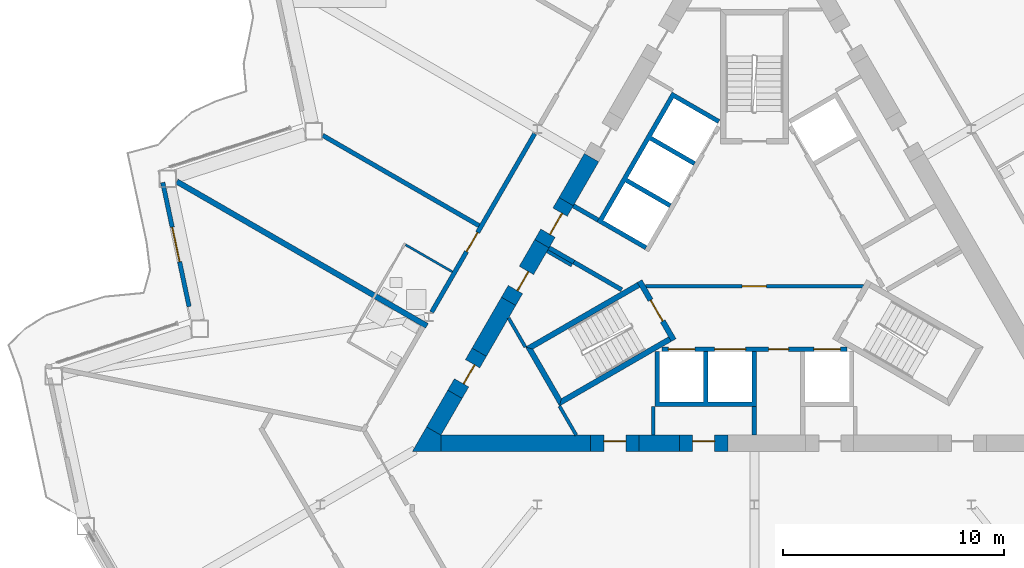
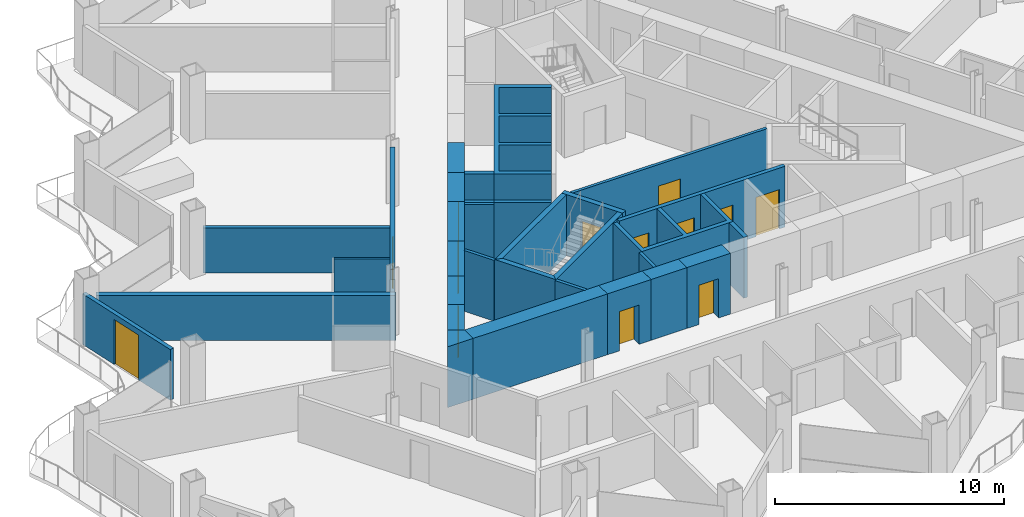
# One storey, part 11 of 23: 32 walls, 13 doors, 13 openings.
"""IFC4 building model written with IfcOpenShell, lengths in metres."""

from ifc_helpers import new_model, si_unit, direction, frame, frame_2d, origin, place, context, subcontext, project, spatial, polyline, rectangle, outline, extrude, material, layer, layer_set, type_object, element, fill, save


model = new_model("IFC4")

# Units and contexts
model_context = context("Model", 3, precision=1e-05, world=origin(), true_north=direction((0.0, 1.0)))
body_context = subcontext(model_context, "Body", "Model", "MODEL_VIEW")
ifc_project = project(units=[si_unit("LENGTHUNIT", "METRE"), si_unit("AREAUNIT", "SQUARE_METRE"), si_unit("VOLUMEUNIT", "CUBIC_METRE"), si_unit("PLANEANGLEUNIT", "RADIAN"), si_unit("MASSUNIT", "GRAM", prefix="KILO")], contexts=[model_context])

# Site, building, storey
site_placement = place(None, origin())
site = spatial("IfcSite", under=ifc_project, at=site_placement, CompositionType="ELEMENT")
building_placement = place(site_placement, origin())
building = spatial("IfcBuilding", under=site, at=building_placement, Name="Cormorant Prow Tower", CompositionType="ELEMENT")
storey_placement = place(building_placement, frame((0.0, 0.0, 169.199951171875)))
storey = spatial("IfcBuildingStorey", under=building, at=storey_placement, Name="L35", CompositionType="ELEMENT", Elevation=169.199951171875)

# Wall, opening, door
ifc_material_1 = material(Name="Gypsum board partition")
ifc_layer_1 = layer(ifc_material_1, 0.14990234375)
ifc_layer_set_1 = layer_set([ifc_layer_1], Name="Gypsum board partition")
wall_type_1 = type_object("IfcWallType", Name="Core partition 150", PredefinedType="PARTITIONING", material=ifc_layer_set_1)
wall_1_placement = place(storey_placement, frame((-4.941162109375, -1.449951171875, 0.0), z_axis=(0.0, 0.0, 1.0), x_axis=(1.0, 0.0, 0.0)))
wall_1 = element("IfcWall", 1, at=wall_1_placement, inside=storey, type_object=wall_type_1, Name="Firefighting lobby partition", PredefinedType="PARTITIONING", context=body_context, shape_type="SweptSolid", body=[
    extrude(rectangle(XDim=9.88232421875, YDim=0.14990234375, at=frame_2d((4.941162109375, 0.0))), origin(), (0.0, 0.0, 1.0), 3.25),
])
opening_1_placement = place(wall_1_placement, frame((4.39111328125, 0.0, 0.0)))
opening_1 = element("IfcOpeningElement", 2, at=opening_1_placement, cuts=wall_1, Name="Opening L35-C10", PredefinedType="OPENING", context=body_context, shape_type="SweptSolid", body=[
    extrude(rectangle(XDim=1.10009765625, YDim=2.10009765625, at=frame_2d((0.550048828125, 1.050048828125))), frame((0.0, 0.0849609375, 0.0), z_axis=(0.0, -1.0, 0.0), x_axis=(1.0, 0.0, 0.0)), (0.0, 0.0, 1.0), 0.169921875),
])
ifc_material_2 = material(Name="Painted steel", Category="steel")
door_type_1 = type_object("IfcDoorType", Name="Firefighting lobby door 1100x2100", OperationType="NOTDEFINED", PredefinedType="DOOR", material=ifc_material_2)
door_1_placement = place(opening_1_placement, origin())
door_1 = element("IfcDoor", 3, at=door_1_placement, inside=storey, type_object=door_type_1, Name="Firefighting lobby door", OperationType="SINGLE_SWING_LEFT", OverallHeight=2.10009765625, OverallWidth=1.10009765625, PredefinedType="DOOR", context=body_context, shape_type="SweptSolid", body=[
    extrude(rectangle(XDim=1.10009765625, YDim=2.10009765625, at=frame_2d((0.550048828125, 1.050048828125))), frame((0.0, 0.02490234375, 0.0), z_axis=(0.0, -1.0, 0.0), x_axis=(1.0, 0.0, 0.0)), (0.0, 0.0, 1.0), 0.050048828125),
])
fill(opening_1, door_1)

# Walls
for number, where, z_axis, x_axis, name in (
    (4, (-4.574951171875, -6.906005859375, 0.0), (0.0, 0.0, 1.0), (0.0, -1.0, 0.0), "Service room partition"),
    (5, (-8.268310546875, -0.509033203125, 0.0), (0.0, 0.0, 1.0), (-0.866003189247, 0.500038474733, 0.0), "Service room partition"),
):
    element("IfcWall", number, at=place(storey_placement, frame(where, z_axis=z_axis, x_axis=x_axis)), inside=storey, type_object=wall_type_1, Name=name, PredefinedType="PARTITIONING", context=body_context, shape_type="SweptSolid", body=[
        extrude(rectangle(XDim=1.29296875, YDim=0.14990234375, at=frame_2d((0.646484375, 0.0))), origin(), (0.0, 0.0, 1.0), 3.25),
    ])
for number, where, z_axis, x_axis, name in (
    (6, (-8.82958984375, -6.880615234375, 0.0), (0.0, 0.0, 1.0), (0.500037110984, -0.866003976688, 0.0), "Service room partition"),
    (7, (-10.37353515625, -4.206298828125, 0.0), (0.0, 0.0, 1.0), (-0.500037110984, 0.866003976688, 0.0), "Service room partition"),
):
    element("IfcWall", number, at=place(storey_placement, frame(where, z_axis=z_axis, x_axis=x_axis)), inside=storey, type_object=wall_type_1, Name=name, PredefinedType="PARTITIONING", context=body_context, shape_type="SweptSolid", body=[
        extrude(rectangle(XDim=1.5224609375, YDim=0.14990234375, at=frame_2d((0.76123046875, 0.0))), origin(), (0.0, 0.0, 1.0), 3.25),
    ])
ifc_material_3 = material(Name="Concrete 8000 psi", Category="concrete")
ifc_layer_2 = layer(ifc_material_3, 0.75)
ifc_layer_set_2 = layer_set([ifc_layer_2], Name="Concrete 8000 psi")
wall_type_2 = type_object("IfcWallType", Name="Core shear wall 750", PredefinedType="SHEAR", material=ifc_layer_set_2)
wall_2_placement = place(storey_placement, frame((-14.200927734375, -8.573974609375, 0.0), z_axis=(0.0, 0.0, 1.0), x_axis=(1.0, 0.0, 0.0)))
element("IfcWall", 8, at=wall_2_placement, inside=storey, type_object=wall_type_2, Name="Core wall", PredefinedType="SHEAR", context=body_context, shape_type="SweptSolid", body=[
    extrude(rectangle(XDim=6.784912109375, YDim=0.75, at=frame_2d((3.392578125, 0.0))), origin(), (0.0, 0.0, 1.0), 3.25),
])
wall_3_placement = place(storey_placement, frame((-5.2158203125, -8.573974609375, 0.0), z_axis=(0.0, 0.0, 1.0), x_axis=(1.0, 0.0, 0.0)))
element("IfcWall", 9, at=wall_3_placement, inside=storey, type_object=wall_type_2, Name="Core wall", PredefinedType="SHEAR", context=body_context, shape_type="SweptSolid", body=[
    extrude(rectangle(XDim=1.81591796875, YDim=0.75, at=frame_2d((0.907958984375, 0.0))), origin(), (0.0, 0.0, 1.0), 3.25),
])
wall_4_placement = place(storey_placement, frame((-11.13330078125, -2.135498046875, 0.0), z_axis=(0.0, 0.0, 1.0), x_axis=(-0.499936812382, -0.866061882099, 0.0)))
element("IfcWall", 10, at=wall_4_placement, inside=storey, type_object=wall_type_2, Name="Core wall", PredefinedType="SHEAR", context=body_context, shape_type="SweptSolid", body=[
    extrude(rectangle(XDim=2.661865234375, YDim=0.75, at=frame_2d((1.3310546875, 0.0))), origin(), (0.0, 0.0, 1.0), 3.25),
])
wall_5_placement = place(storey_placement, frame((-7.375244140625, 4.37353515625, 0.0), z_axis=(0.0, 0.0, 1.0), x_axis=(-0.499952165731, -0.866053019151, 0.0)))
element("IfcWall", 11, at=wall_5_placement, inside=storey, type_object=wall_type_2, Name="Core wall", PredefinedType="SHEAR", context=body_context, shape_type="SweptSolid", body=[
    extrude(rectangle(XDim=2.300048828125, YDim=0.75, at=frame_2d((1.14990234375, 0.0))), origin(), (0.0, 0.0, 1.0), 3.25),
])
wall_6_placement = place(storey_placement, frame((-13.564208984375, -6.34619140625, 0.0), z_axis=(0.0, 0.0, 1.0), x_axis=(-0.499989888488, -0.86603124159, 0.0)))
element("IfcWall", 12, at=wall_6_placement, inside=storey, type_object=wall_type_2, Name="Core wall", PredefinedType="SHEAR", context=body_context, shape_type="SweptSolid", body=[
    extrude(rectangle(XDim=1.9228515625, YDim=0.75, at=frame_2d((0.96142578125, 0.0))), origin(), (0.0, 0.0, 1.0), 3.25),
])
wall_7_placement = place(storey_placement, origin())
element("IfcWall", 13, at=wall_7_placement, inside=storey, type_object=wall_type_2, Name="Core wall corner", PredefinedType="SHEAR", context=body_context, shape_type="SweptSolid", body=[
    extrude(outline(polyline([(-14.8505859375, -7.823974609375), (-14.200927734375, -8.198974609375), (-14.200927734375, -8.948974609375), (-15.5, -8.948974609375), (-14.8505859375, -7.823974609375)])), origin(), (0.0, 0.0, 1.0), 3.25),
])

# Wall, opening, door
wall_8_placement = place(storey_placement, frame((-3.39990234375, -8.573974609375, 0.0), z_axis=(0.0, 0.0, 1.0), x_axis=(1.0, 0.0, 0.0)))
wall_8 = element("IfcWall", 14, at=wall_8_placement, inside=storey, type_object=wall_type_2, Name="Core wall door panel", PredefinedType="SHEAR", context=body_context, shape_type="SweptSolid", body=[
    extrude(rectangle(XDim=2.199951171875, YDim=0.75, at=frame_2d((1.10009765625, 0.0))), origin(), (0.0, 0.0, 1.0), 3.25),
])
opening_2_placement = place(wall_8_placement, frame((0.60009765625, 0.0, 0.0)))
opening_2 = element("IfcOpeningElement", 15, at=opening_2_placement, cuts=wall_8, Name="Opening L35-C14", PredefinedType="OPENING", context=body_context, shape_type="SweptSolid", body=[
    extrude(rectangle(XDim=1.0, YDim=2.10009765625, at=frame_2d((0.5, 1.050048828125))), frame((0.0, 0.385009765625, 0.0), z_axis=(0.0, -1.0, 0.0), x_axis=(1.0, 0.0, 0.0)), (0.0, 0.0, 1.0), 0.77001953125),
])
ifc_material_4 = material(Name="Painted steel", Category="steel")
door_type_2 = type_object("IfcDoorType", Name="Service door 1000x2100", OperationType="NOTDEFINED", PredefinedType="DOOR", material=ifc_material_4)
door_2_placement = place(opening_2_placement, origin())
door_2 = element("IfcDoor", 16, at=door_2_placement, inside=storey, type_object=door_type_2, Name="Core door, Electrical room", OperationType="SINGLE_SWING_RIGHT", OverallHeight=2.10009765625, OverallWidth=1.0, PredefinedType="DOOR", context=body_context, shape_type="SweptSolid", body=[
    extrude(rectangle(XDim=1.0, YDim=2.10009765625, at=frame_2d((0.5, 1.050048828125))), frame((0.0, 0.1298828125, 0.0), z_axis=(0.0, -1.0, 0.0), x_axis=(1.0, 0.0, 0.0)), (0.0, 0.0, 1.0), 0.050048828125),
])
fill(opening_2, door_2)

wall_9_placement = place(storey_placement, frame((-12.46435546875, -4.44091796875, 0.0), z_axis=(0.0, 0.0, 1.0), x_axis=(-0.499994660107, -0.866028486751, 0.0)))
wall_9 = element("IfcWall", 17, at=wall_9_placement, inside=storey, type_object=wall_type_2, Name="Core wall door panel", PredefinedType="SHEAR", context=body_context, shape_type="SweptSolid", body=[
    extrude(rectangle(XDim=2.19970703125, YDim=0.75, at=frame_2d((1.099853515625, 0.0))), origin(), (0.0, 0.0, 1.0), 3.25),
])
opening_3_placement = place(wall_9_placement, frame((0.60009765625, 0.0, 0.0)))
opening_3 = element("IfcOpeningElement", 18, at=opening_3_placement, cuts=wall_9, Name="Opening L35-C16", PredefinedType="OPENING", context=body_context, shape_type="SweptSolid", body=[
    extrude(rectangle(XDim=1.0, YDim=2.10009765625, at=frame_2d((0.5, 1.050048828125))), frame((0.0, 0.385009765625, 0.0), z_axis=(0.0, -1.0, 0.0), x_axis=(1.0, 0.0, 0.0)), (0.0, 0.0, 1.0), 0.77001953125),
])
door_3_placement = place(opening_3_placement, origin())
door_3 = element("IfcDoor", 19, at=door_3_placement, inside=storey, type_object=door_type_2, Name="Core door, Mechanical riser room", OperationType="SINGLE_SWING_RIGHT", OverallHeight=2.10009765625, OverallWidth=1.0, PredefinedType="DOOR", context=body_context, shape_type="SweptSolid", body=[
    extrude(rectangle(XDim=1.0, YDim=2.10009765625, at=frame_2d((0.5, 1.050048828125))), frame((0.0, 0.1298828125, 0.0), z_axis=(0.0, -1.0, 0.0), x_axis=(1.0, 0.0, 0.0)), (0.0, 0.0, 1.0), 0.050048828125),
])
fill(opening_3, door_3)

wall_10_placement = place(storey_placement, frame((-9.625244140625, 0.4765625, 0.0), z_axis=(0.0, 0.0, 1.0), x_axis=(-0.499995718215, -0.86602787586, 0.0)))
wall_10 = element("IfcWall", 20, at=wall_10_placement, inside=storey, type_object=wall_type_2, Name="Core wall door panel", PredefinedType="SHEAR", context=body_context, shape_type="SweptSolid", body=[
    extrude(rectangle(XDim=3.01611328125, YDim=0.75, at=frame_2d((1.508056640625, 0.0))), origin(), (0.0, 0.0, 1.0), 3.25),
])
opening_4_placement = place(wall_10_placement, frame((1.39990234375, 0.0, 0.0)))
opening_4 = element("IfcOpeningElement", 21, at=opening_4_placement, cuts=wall_10, Name="Opening L35-C21", PredefinedType="OPENING", context=body_context, shape_type="SweptSolid", body=[
    extrude(rectangle(XDim=1.0, YDim=2.10009765625, at=frame_2d((0.5, 1.050048828125))), frame((0.0, 0.385009765625, 0.0), z_axis=(0.0, -1.0, 0.0), x_axis=(1.0, 0.0, 0.0)), (0.0, 0.0, 1.0), 0.77001953125),
])
door_4_placement = place(opening_4_placement, origin())
door_4 = element("IfcDoor", 22, at=door_4_placement, inside=storey, type_object=door_type_2, Name="Core door, Mechanical riser room", OperationType="SINGLE_SWING_LEFT", OverallHeight=2.10009765625, OverallWidth=1.0, PredefinedType="DOOR", context=body_context, shape_type="SweptSolid", body=[
    extrude(rectangle(XDim=1.0, YDim=2.10009765625, at=frame_2d((0.5, 1.050048828125))), frame((0.0, 0.1298828125, 0.0), z_axis=(0.0, -1.0, 0.0), x_axis=(1.0, 0.0, 0.0)), (0.0, 0.0, 1.0), 0.050048828125),
])
fill(opening_4, door_4)

wall_11_placement = place(storey_placement, frame((-7.416015625, -8.573974609375, 0.0), z_axis=(0.0, 0.0, 1.0), x_axis=(1.0, 0.0, 0.0)))
wall_11 = element("IfcWall", 23, at=wall_11_placement, inside=storey, type_object=wall_type_2, Name="Core wall door panel", PredefinedType="SHEAR", context=body_context, shape_type="SweptSolid", body=[
    extrude(rectangle(XDim=2.2001953125, YDim=0.75, at=frame_2d((1.10009765625, 0.0))), origin(), (0.0, 0.0, 1.0), 3.25),
])
opening_5_placement = place(wall_11_placement, frame((0.60009765625, 0.0, 0.0)))
opening_5 = element("IfcOpeningElement", 24, at=opening_5_placement, cuts=wall_11, Name="Opening L35-C22", PredefinedType="OPENING", context=body_context, shape_type="SweptSolid", body=[
    extrude(rectangle(XDim=1.0, YDim=2.10009765625, at=frame_2d((0.5, 1.050048828125))), frame((0.0, 0.385009765625, 0.0), z_axis=(0.0, -1.0, 0.0), x_axis=(1.0, 0.0, 0.0)), (0.0, 0.0, 1.0), 0.77001953125),
])
door_5_placement = place(opening_5_placement, origin())
door_5 = element("IfcDoor", 25, at=door_5_placement, inside=storey, type_object=door_type_2, Name="Core door, Mechanical riser room", OperationType="SINGLE_SWING_RIGHT", OverallHeight=2.10009765625, OverallWidth=1.0, PredefinedType="DOOR", context=body_context, shape_type="SweptSolid", body=[
    extrude(rectangle(XDim=1.0, YDim=2.10009765625, at=frame_2d((0.5, 1.050048828125))), frame((0.0, 0.1298828125, 0.0), z_axis=(0.0, -1.0, 0.0), x_axis=(1.0, 0.0, 0.0)), (0.0, 0.0, 1.0), 0.050048828125),
])
fill(opening_5, door_5)

wall_12_placement = place(storey_placement, frame((-8.525146484375, 2.381591796875, 0.0), z_axis=(0.0, 0.0, 1.0), x_axis=(-0.500077893725, -0.86598042715, 0.0)))
wall_12 = element("IfcWall", 26, at=wall_12_placement, inside=storey, type_object=wall_type_2, Name="Core wall door panel", PredefinedType="SHEAR", context=body_context, shape_type="SweptSolid", body=[
    extrude(rectangle(XDim=2.199951171875, YDim=0.75, at=frame_2d((1.10009765625, 0.0))), origin(), (0.0, 0.0, 1.0), 3.25),
])
opening_6_placement = place(wall_12_placement, frame((0.550048828125, 0.0, 0.0)))
opening_6 = element("IfcOpeningElement", 27, at=opening_6_placement, cuts=wall_12, Name="Opening L35-C25", PredefinedType="OPENING", context=body_context, shape_type="SweptSolid", body=[
    extrude(rectangle(XDim=1.10009765625, YDim=2.10009765625, at=frame_2d((0.550048828125, 1.050048828125))), frame((0.0, 0.385009765625, 0.0), z_axis=(0.0, -1.0, 0.0), x_axis=(1.0, 0.0, 0.0)), (0.0, 0.0, 1.0), 0.77001953125),
])
ifc_material_5 = material(Name="Painted steel", Category="steel")
door_type_3 = type_object("IfcDoorType", Name="Core door 1100x2100", OperationType="NOTDEFINED", PredefinedType="DOOR", material=ifc_material_5)
door_6_placement = place(opening_6_placement, origin())
door_6 = element("IfcDoor", 28, at=door_6_placement, inside=storey, type_object=door_type_3, Name="Core door, lift lobby", OperationType="SINGLE_SWING_LEFT", OverallHeight=2.10009765625, OverallWidth=1.10009765625, PredefinedType="DOOR", context=body_context, shape_type="SweptSolid", body=[
    extrude(rectangle(XDim=1.10009765625, YDim=2.10009765625, at=frame_2d((0.550048828125, 1.050048828125))), frame((0.0, 0.1298828125, 0.0), z_axis=(0.0, -1.0, 0.0), x_axis=(1.0, 0.0, 0.0)), (0.0, 0.0, 1.0), 0.050048828125),
])
fill(opening_6, door_6)

ifc_material_6 = material(Name="Gypsum board corridor wall")
ifc_layer_3 = layer(ifc_material_6, 0.199951171875)
ifc_layer_set_3 = layer_set([ifc_layer_3], Name="Gypsum board corridor wall")
wall_type_3 = type_object("IfcWallType", Name="Corridor wall 200", PredefinedType="PARTITIONING", material=ifc_layer_set_3)
wall_13_placement = place(storey_placement, frame((-14.619384765625, -2.62353515625, 0.0), z_axis=(0.0, 0.0, 1.0), x_axis=(0.50000393355, 0.866023132736, 0.0)))
wall_13 = element("IfcWall", 29, at=wall_13_placement, inside=storey, type_object=wall_type_3, Name="Corridor wall", PredefinedType="PARTITIONING", context=body_context, shape_type="SweptSolid", body=[
    extrude(rectangle(XDim=9.3349609375, YDim=0.199951171875, at=frame_2d((4.66748046875, 0.0))), origin(), (0.0, 0.0, 1.0), 3.25),
])
opening_7_placement = place(wall_13_placement, frame((3.1630859375, 0.0, 0.0)))
opening_7 = element("IfcOpeningElement", 30, at=opening_7_placement, cuts=wall_13, Name="Opening L35-F29", PredefinedType="OPENING", context=body_context, shape_type="SweptSolid", body=[
    extrude(rectangle(XDim=1.0, YDim=2.10009765625, at=frame_2d((0.5, 1.050048828125))), frame((0.0, 0.10986328125, 0.0), z_axis=(0.0, -1.0, 0.0), x_axis=(1.0, 0.0, 0.0)), (0.0, 0.0, 1.0), 0.219970703125),
])
ifc_material_7 = material(Name="Timber door leaf", Category="wood")
door_type_4 = type_object("IfcDoorType", Name="Flat or room entrance door 1000x2100", OperationType="NOTDEFINED", PredefinedType="DOOR", material=ifc_material_7)
door_7_placement = place(opening_7_placement, origin())
door_7 = element("IfcDoor", 31, at=door_7_placement, inside=storey, type_object=door_type_4, Name="Guest room door", OperationType="SINGLE_SWING_RIGHT", OverallHeight=2.10009765625, OverallWidth=1.0, PredefinedType="DOOR", context=body_context, shape_type="SweptSolid", body=[
    extrude(rectangle(XDim=1.0, YDim=2.10009765625, at=frame_2d((0.5, 1.050048828125))), frame((0.0, 0.02490234375, 0.0), z_axis=(0.0, -1.0, 0.0), x_axis=(1.0, 0.0, 0.0)), (0.0, 0.0, 1.0), 0.050048828125),
])
fill(opening_7, door_7)

# Walls
ifc_material_8 = material(Name="Gypsum board demising wall")
ifc_layer_4 = layer(ifc_material_8, 0.199951171875)
ifc_layer_set_4 = layer_set([ifc_layer_4], Name="Gypsum board demising wall")
wall_type_4 = type_object("IfcWallType", Name="Demising wall 200", PredefinedType="PARTITIONING", material=ifc_layer_set_4)
wall_14_placement = place(storey_placement, frame((-19.5546875, 5.3828125, 0.0), z_axis=(0.0, 0.0, 1.0), x_axis=(0.866027979776, -0.499995538225, 0.0)))
element("IfcWall", 32, at=wall_14_placement, inside=storey, type_object=wall_type_4, Name="Demising wall", PredefinedType="PARTITIONING", context=body_context, shape_type="SweptSolid", body=[
    extrude(rectangle(XDim=8.17724609375, YDim=0.199951171875, at=frame_2d((4.088623046875, 0.0))), origin(), (0.0, 0.0, 1.0), 2.404296875),
])
ifc_material_9 = material(Name="Gypsum board partition")
ifc_layer_5 = layer(ifc_material_9, 0.10009765625)
ifc_layer_set_5 = layer_set([ifc_layer_5], Name="Gypsum board partition")
wall_type_5 = type_object("IfcWallType", Name="Internal partition 100", PredefinedType="PARTITIONING", material=ifc_layer_set_5)
wall_15_placement = place(storey_placement, frame((-15.802490234375, 0.427001953125, 0.0), z_axis=(0.0, 0.0, 1.0), x_axis=(0.866032905446, -0.499987006516, 0.0)))
element("IfcWall", 33, at=wall_15_placement, inside=storey, type_object=wall_type_5, Name="Internal partition", PredefinedType="PARTITIONING", context=body_context, shape_type="SweptSolid", body=[
    extrude(rectangle(XDim=2.44970703125, YDim=0.10009765625, at=frame_2d((1.224853515625, 0.0))), origin(), (0.0, 0.0, 1.0), 2.404296875),
])

# Wall, openings, doors
ifc_material_10 = material(Name="Concrete 5000 psi", Category="concrete")
ifc_layer_6 = layer(ifc_material_10, 0.199951171875)
ifc_layer_set_6 = layer_set([ifc_layer_6], Name="Concrete 5000 psi")
wall_type_6 = type_object("IfcWallType", Name="Lift lobby wall 200", PredefinedType="SOLIDWALL", material=ifc_layer_set_6)
wall_16_placement = place(storey_placement, frame((-4.1865234375, -4.300048828125, 0.0), z_axis=(0.0, 0.0, 1.0), x_axis=(1.0, 0.0, 0.0)))
wall_16 = element("IfcWall", 34, at=wall_16_placement, inside=storey, type_object=wall_type_6, Name="Lift lobby wall, S block", PredefinedType="SOLIDWALL", context=body_context, shape_type="SweptSolid", body=[
    extrude(rectangle(XDim=8.373046875, YDim=0.199951171875, at=frame_2d((4.1865234375, 0.0))), origin(), (0.0, 0.0, 1.0), 3.25),
])
opening_8_placement = place(wall_16_placement, frame((0.28662109375, 0.0, 0.0)))
opening_8 = element("IfcOpeningElement", 35, at=opening_8_placement, cuts=wall_16, Name="Opening L35-C01", PredefinedType="OPENING", context=body_context, shape_type="SweptSolid", body=[
    extrude(rectangle(XDim=1.199951171875, YDim=2.10009765625, at=frame_2d((0.60009765625, 1.050048828125))), frame((0.0, 0.10986328125, 0.0), z_axis=(0.0, -1.0, 0.0), x_axis=(1.0, 0.0, 0.0)), (0.0, 0.0, 1.0), 0.219970703125),
])
opening_9_placement = place(wall_16_placement, frame((2.38671875, 0.0, 0.0)))
opening_9 = element("IfcOpeningElement", 36, at=opening_9_placement, cuts=wall_16, Name="Opening L35-C02", PredefinedType="OPENING", context=body_context, shape_type="SweptSolid", body=[
    extrude(rectangle(XDim=1.39990234375, YDim=2.10009765625, at=frame_2d((0.699951171875, 1.050048828125))), frame((0.0, 0.10986328125, 0.0), z_axis=(0.0, -1.0, 0.0), x_axis=(1.0, 0.0, 0.0)), (0.0, 0.0, 1.0), 0.219970703125),
])
opening_10_placement = place(wall_16_placement, frame((4.836669921875, 0.0, 0.0)))
opening_10 = element("IfcOpeningElement", 37, at=opening_10_placement, cuts=wall_16, Name="Opening L35-C03", PredefinedType="OPENING", context=body_context, shape_type="SweptSolid", body=[
    extrude(rectangle(XDim=0.89990234375, YDim=2.10009765625, at=frame_2d((0.449951171875, 1.050048828125))), frame((0.0, 0.10986328125, 0.0), z_axis=(0.0, -1.0, 0.0), x_axis=(1.0, 0.0, 0.0)), (0.0, 0.0, 1.0), 0.219970703125),
])
opening_11_placement = place(wall_16_placement, frame((6.88671875, 0.0, 0.0)))
opening_11 = element("IfcOpeningElement", 38, at=opening_11_placement, cuts=wall_16, Name="Opening L35-C04", PredefinedType="OPENING", context=body_context, shape_type="SweptSolid", body=[
    extrude(rectangle(XDim=1.199951171875, YDim=2.10009765625, at=frame_2d((0.60009765625, 1.050048828125))), frame((0.0, 0.10986328125, 0.0), z_axis=(0.0, -1.0, 0.0), x_axis=(1.0, 0.0, 0.0)), (0.0, 0.0, 1.0), 0.219970703125),
])
ifc_material_11 = material(Name="Painted steel", Category="steel")
door_type_5 = type_object("IfcDoorType", Name="Firefighting lift landing door 1200x2100", OperationType="SLIDING_TO_LEFT", PredefinedType="DOOR", material=ifc_material_11)
door_8_placement = place(opening_8_placement, origin())
door_8 = element("IfcDoor", 39, at=door_8_placement, inside=storey, type_object=door_type_5, Name="Landing door FL1", OperationType="SLIDING_TO_LEFT", OverallHeight=2.10009765625, OverallWidth=1.199951171875, PredefinedType="DOOR", context=body_context, shape_type="SweptSolid", body=[
    extrude(rectangle(XDim=1.199951171875, YDim=2.10009765625, at=frame_2d((0.60009765625, 1.050048828125))), frame((0.0, 0.02490234375, 0.0), z_axis=(0.0, -1.0, 0.0), x_axis=(1.0, 0.0, 0.0)), (0.0, 0.0, 1.0), 0.050048828125),
])
fill(opening_8, door_8)
door_9_placement = place(opening_11_placement, origin())
door_9 = element("IfcDoor", 40, at=door_9_placement, inside=storey, type_object=door_type_5, Name="Landing door FL2", OperationType="SLIDING_TO_LEFT", OverallHeight=2.10009765625, OverallWidth=1.199951171875, PredefinedType="DOOR", context=body_context, shape_type="SweptSolid", body=[
    extrude(rectangle(XDim=1.199951171875, YDim=2.10009765625, at=frame_2d((0.60009765625, 1.050048828125))), frame((0.0, 0.02490234375, 0.0), z_axis=(0.0, -1.0, 0.0), x_axis=(1.0, 0.0, 0.0)), (0.0, 0.0, 1.0), 0.050048828125),
])
fill(opening_11, door_9)
ifc_material_12 = material(Name="Painted steel", Category="steel")
door_type_6 = type_object("IfcDoorType", Name="Service door 900x2100", OperationType="NOTDEFINED", PredefinedType="DOOR", material=ifc_material_12)
door_10_placement = place(opening_10_placement, origin())
door_10 = element("IfcDoor", 41, at=door_10_placement, inside=storey, type_object=door_type_6, Name="Service door, Electrical room", OperationType="SINGLE_SWING_RIGHT", OverallHeight=2.10009765625, OverallWidth=0.89990234375, PredefinedType="DOOR", context=body_context, shape_type="SweptSolid", body=[
    extrude(rectangle(XDim=0.89990234375, YDim=2.10009765625, at=frame_2d((0.449951171875, 1.050048828125))), frame((0.0, 0.02490234375, 0.0), z_axis=(0.0, -1.0, 0.0), x_axis=(1.0, 0.0, 0.0)), (0.0, 0.0, 1.0), 0.050048828125),
])
fill(opening_10, door_10)
ifc_material_13 = material(Name="Painted steel", Category="steel")
door_type_7 = type_object("IfcDoorType", Name="Service lift landing door 1400x2100", OperationType="SLIDING_TO_LEFT", PredefinedType="DOOR", material=ifc_material_13)
door_11_placement = place(opening_9_placement, origin())
door_11 = element("IfcDoor", 42, at=door_11_placement, inside=storey, type_object=door_type_7, Name="Landing door SL1", OperationType="SLIDING_TO_LEFT", OverallHeight=2.10009765625, OverallWidth=1.39990234375, PredefinedType="DOOR", context=body_context, shape_type="SweptSolid", body=[
    extrude(rectangle(XDim=1.39990234375, YDim=2.10009765625, at=frame_2d((0.699951171875, 1.050048828125))), frame((0.0, 0.02490234375, 0.0), z_axis=(0.0, -1.0, 0.0), x_axis=(1.0, 0.0, 0.0)), (0.0, 0.0, 1.0), 0.050048828125),
])
fill(opening_9, door_11)

# Walls
ifc_material_14 = material(Name="Concrete 8000 psi", Category="concrete")
ifc_layer_7 = layer(ifc_material_14, 0.199951171875)
ifc_layer_set_7 = layer_set([ifc_layer_7], Name="Concrete 8000 psi")
wall_type_7 = type_object("IfcWallType", Name="Lift shaft wall 200", PredefinedType="SHEAR", material=ifc_layer_set_7)
wall_17_placement = place(storey_placement, origin())
element("IfcWall", 43, at=wall_17_placement, inside=storey, type_object=wall_type_7, Name="Lift shaft walls, S block", PredefinedType="SHEAR", context=body_context, shape_type="SweptSolid", body=[
    extrude(outline(polyline([(0.10009765625, -4.39990234375), (0.10009765625, -6.906005859375), (-4.5, -6.906005859375), (-4.5, -4.39990234375), (-4.300048828125, -4.39990234375), (-4.300048828125, -6.699951171875), (-2.300048828125, -6.699951171875), (-2.300048828125, -4.39990234375), (-2.10009765625, -4.39990234375), (-2.10009765625, -6.699951171875), (-0.10009765625, -6.699951171875), (-0.10009765625, -4.39990234375), (0.10009765625, -4.39990234375)])), origin(), (0.0, 0.0, 1.0), 3.25),
])
wall_18_placement = place(storey_placement, frame((0.0, -6.906005859375, 0.0), z_axis=(0.0, 0.0, 1.0), x_axis=(0.0, -1.0, 0.0)))
element("IfcWall", 44, at=wall_18_placement, inside=storey, type_object=wall_type_7, Name="Store side wall", PredefinedType="SHEAR", context=body_context, shape_type="SweptSolid", body=[
    extrude(rectangle(XDim=1.29296875, YDim=0.199951171875, at=frame_2d((0.646484375, 0.0))), origin(), (0.0, 0.0, 1.0), 3.25),
])
wall_19_placement = place(storey_placement, origin())
element("IfcWall", 45, at=wall_19_placement, inside=storey, type_object=wall_type_7, Name="Lift shaft walls, WNW block", PredefinedType="SHEAR", context=body_context, shape_type="SweptSolid", body=[
    extrude(outline(polyline([(-6.060546875, -1.697021484375), (-8.230712890625, -0.444091796875), (-8.130859375, -0.27099609375), (-5.96044921875, -1.52392578125), (-6.060546875, -1.697021484375)])), origin(), (0.0, 0.0, 1.0), 3.25),
])
wall_20_placement = place(storey_placement, origin())
element("IfcWall", 46, at=wall_20_placement, inside=storey, type_object=wall_type_7, Name="Lift shaft walls, WNW block", PredefinedType="SHEAR", context=body_context, shape_type="SweptSolid", body=[
    extrude(outline(polyline([(-4.96044921875, 0.2080078125), (-7.130859375, 1.461181640625), (-3.730712890625, 7.35009765625), (-1.560546875, 6.09716796875), (-1.660400390625, 5.923828125), (-3.65234375, 7.073974609375), (-4.65234375, 5.341796875), (-2.660400390625, 4.19189453125), (-2.760498046875, 4.018798828125), (-4.75244140625, 5.168701171875), (-5.75244140625, 3.4365234375), (-3.760498046875, 2.28662109375), (-3.860595703125, 2.11328125), (-5.852294921875, 3.263427734375), (-6.852294921875, 1.53125), (-4.860595703125, 0.38134765625), (-4.96044921875, 0.2080078125)])), origin(), (0.0, 0.0, 1.0), 3.25),
])
for number, where, z_axis, x_axis, name in (
    (47, (-7.080810546875, 1.547607421875, 0.0), (0.0, 0.0, 1.0), (-0.866003189247, 0.500038474733, 0.0), "Lobby passage wall"),
    (48, (-8.180908203125, -0.357421875, 0.0), (0.0, 0.0, 1.0), (-0.866003189247, 0.500038474733, 0.0), "Lobby passage wall"),
):
    element("IfcWall", number, at=place(storey_placement, frame(where, z_axis=z_axis, x_axis=x_axis)), inside=storey, type_object=wall_type_7, Name=name, PredefinedType="SHEAR", context=body_context, shape_type="SweptSolid", body=[
        extrude(rectangle(XDim=1.29296875, YDim=0.199951171875, at=frame_2d((0.646484375, 0.0))), origin(), (0.0, 0.0, 1.0), 3.25),
    ])
ifc_material_15 = material(Name="Concrete 8000 psi", Category="concrete")
ifc_layer_8 = layer(ifc_material_15, 0.25)
ifc_layer_set_8 = layer_set([ifc_layer_8], Name="Concrete 8000 psi")
wall_type_8 = type_object("IfcWallType", Name="Stair wall 250", PredefinedType="SHEAR", material=ifc_layer_set_8)
wall_21_placement = place(storey_placement, origin())
element("IfcWall", 49, at=wall_21_placement, inside=storey, type_object=wall_type_8, Name="Stair ST1 enclosure wall (flank)", PredefinedType="SHEAR", context=body_context, shape_type="SweptSolid", body=[
    extrude(outline(polyline([(-5.30712890625, -1.28125), (-10.37353515625, -4.206298828125), (-10.031982421875, -4.2978515625), (-5.18212890625, -1.497802734375), (-5.30712890625, -1.28125)])), origin(), (0.0, 0.0, 1.0), 3.25),
])
wall_22_placement = place(storey_placement, origin())
element("IfcWall", 50, at=wall_22_placement, inside=storey, type_object=wall_type_8, Name="Stair ST1 enclosure wall (end)", PredefinedType="SHEAR", context=body_context, shape_type="SweptSolid", body=[
    extrude(outline(polyline([(-10.37353515625, -4.206298828125), (-8.82958984375, -6.880615234375), (-8.738037109375, -6.5390625), (-10.031982421875, -4.2978515625), (-10.37353515625, -4.206298828125)])), origin(), (0.0, 0.0, 1.0), 3.25),
])
wall_23_placement = place(storey_placement, origin())
element("IfcWall", 51, at=wall_23_placement, inside=storey, type_object=wall_type_8, Name="Stair ST1 enclosure wall (flank)", PredefinedType="SHEAR", context=body_context, shape_type="SweptSolid", body=[
    extrude(outline(polyline([(-8.738037109375, -6.5390625), (-8.82958984375, -6.880615234375), (-3.76318359375, -3.95556640625), (-3.88818359375, -3.739013671875), (-8.738037109375, -6.5390625)])), origin(), (0.0, 0.0, 1.0), 3.25),
])

# Wall, opening, door
wall_24_placement = place(storey_placement, frame((-5.198974609375, -1.21875, 0.0), z_axis=(0.0, 0.0, 1.0), x_axis=(0.499982516597, -0.866035497597, 0.0)))
wall_24 = element("IfcWall", 52, at=wall_24_placement, inside=storey, type_object=wall_type_8, Name="Stair ST1 door wall", PredefinedType="SHEAR", context=body_context, shape_type="SweptSolid", body=[
    extrude(rectangle(XDim=3.087890625, YDim=0.25, at=frame_2d((1.5439453125, 0.0))), origin(), (0.0, 0.0, 1.0), 3.25),
])
opening_12_placement = place(wall_24_placement, frame((0.993896484375, 0.0, 0.0)))
opening_12 = element("IfcOpeningElement", 53, at=opening_12_placement, cuts=wall_24, Name="Opening L35-C11", PredefinedType="OPENING", context=body_context, shape_type="SweptSolid", body=[
    extrude(rectangle(XDim=1.10009765625, YDim=2.10009765625, at=frame_2d((0.550048828125, 1.050048828125))), frame((0.0, 0.135009765625, 0.0), z_axis=(0.0, -1.0, 0.0), x_axis=(1.0, 0.0, 0.0)), (0.0, 0.0, 1.0), 0.27001953125),
])
ifc_material_16 = material(Name="Painted steel", Category="steel")
door_type_8 = type_object("IfcDoorType", Name="Stair door 1100x2100", OperationType="NOTDEFINED", PredefinedType="DOOR", material=ifc_material_16)
door_12_placement = place(opening_12_placement, origin())
door_12 = element("IfcDoor", 54, at=door_12_placement, inside=storey, type_object=door_type_8, Name="Stair ST1 door", OperationType="SINGLE_SWING_LEFT", OverallHeight=2.10009765625, OverallWidth=1.10009765625, PredefinedType="DOOR", context=body_context, shape_type="SweptSolid", body=[
    extrude(rectangle(XDim=1.10009765625, YDim=2.10009765625, at=frame_2d((0.550048828125, 1.050048828125))), frame((0.0, 0.02490234375, 0.0), z_axis=(0.0, -1.0, 0.0), x_axis=(1.0, 0.0, 0.0)), (0.0, 0.0, 1.0), 0.050048828125),
])
fill(opening_12, door_12)

# Wall
ifc_material_17 = material(Name="Acoustic gypsum party wall")
ifc_layer_9 = layer(ifc_material_17, 0.25)
ifc_layer_set_9 = layer_set([ifc_layer_9], Name="Acoustic gypsum party wall")
wall_type_9 = type_object("IfcWallType", Name="Suite party wall 250", PredefinedType="PARTITIONING", material=ifc_layer_set_9)
wall_25_placement = place(storey_placement, frame((-26.164306640625, 3.291748046875, 0.0), z_axis=(0.0, 0.0, 1.0), x_axis=(0.866022412254, -0.500005181446, 0.0)))
element("IfcWall", 55, at=wall_25_placement, inside=storey, type_object=wall_type_9, Name="Suite party wall", PredefinedType="PARTITIONING", context=body_context, shape_type="SweptSolid", body=[
    extrude(rectangle(XDim=13.080810546875, YDim=0.25, at=frame_2d((6.54052734375, 0.0))), origin(), (0.0, 0.0, 1.0), 2.404296875),
])

# Wall, opening, door
ifc_material_18 = material(Name="Terracotta", Category="masonry")
ifc_layer_10 = layer(ifc_material_18, 0.199951171875)
ifc_layer_set_10 = layer_set([ifc_layer_10], Name="Terracotta")
wall_type_10 = type_object("IfcWallType", Name="Terracotta jamb wall 200", PredefinedType="SOLIDWALL", material=ifc_layer_set_10)
wall_26_placement = place(storey_placement, frame((-26.802001953125, 3.249755859375, 0.0), z_axis=(0.0, 0.0, 1.0), x_axis=(0.207921749173, -0.97814546271, 0.0)))
wall_26 = element("IfcWall", 56, at=wall_26_placement, inside=storey, type_object=wall_type_10, Name="Terracotta jamb wall WNW07", PredefinedType="SOLIDWALL", context=body_context, shape_type="SweptSolid", body=[
    extrude(rectangle(XDim=5.747802734375, YDim=0.199951171875, at=frame_2d((2.8740234375, 0.0))), origin(), (0.0, 0.0, 1.0), 2.700927734375),
])
opening_13_placement = place(wall_26_placement, frame((2.073974609375, 0.0, 0.0)))
opening_13 = element("IfcOpeningElement", 57, at=opening_13_placement, cuts=wall_26, Name="Opening ED35.14", PredefinedType="OPENING", context=body_context, shape_type="SweptSolid", body=[
    extrude(rectangle(XDim=1.60009765625, YDim=2.39990234375, at=frame_2d((0.800048828125, 1.199951171875))), frame((0.0, 0.10986328125, 0.0), z_axis=(0.0, -1.0, 0.0), x_axis=(1.0, 0.0, 0.0)), (0.0, 0.0, 1.0), 0.219970703125),
])
ifc_material_19 = material(Name="Aluminium 6063-T6", Category="aluminium")
door_type_9 = type_object("IfcDoorType", Name="Balcony door 1600x2400", OperationType="DOUBLE_DOOR_SINGLE_SWING", PredefinedType="DOOR", material=ifc_material_19)
door_13_placement = place(opening_13_placement, origin())
door_13 = element("IfcDoor", 58, at=door_13_placement, inside=storey, type_object=door_type_9, Name="Balcony door WNW07 ED35.14", OperationType="DOUBLE_DOOR_SINGLE_SWING", OverallHeight=2.39990234375, OverallWidth=1.60009765625, PredefinedType="DOOR", context=body_context, shape_type="SweptSolid", body=[
    extrude(rectangle(XDim=1.60009765625, YDim=2.39990234375, at=frame_2d((0.800048828125, 1.199951171875))), frame((0.0, 0.02490234375, 0.0), z_axis=(0.0, -1.0, 0.0), x_axis=(1.0, 0.0, 0.0)), (0.0, 0.0, 1.0), 0.050048828125),
])
fill(opening_13, door_13)

save(model, "model.ifc")
